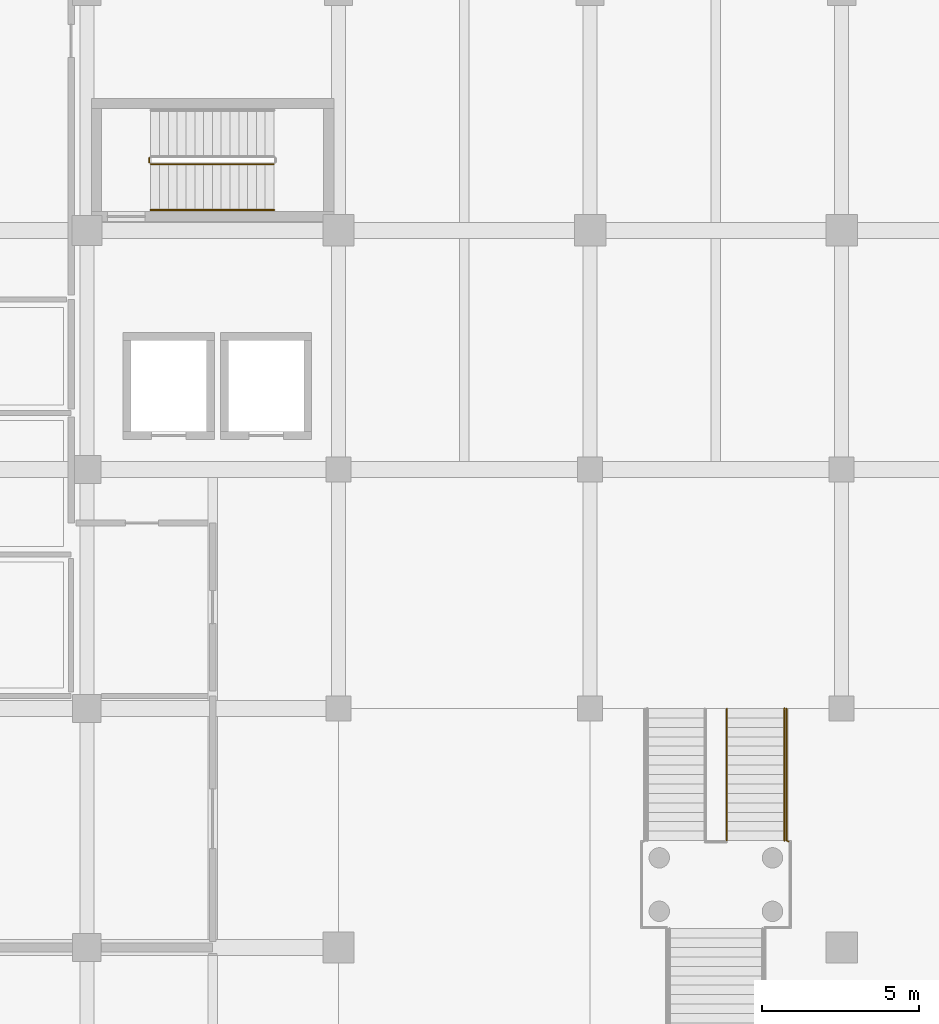
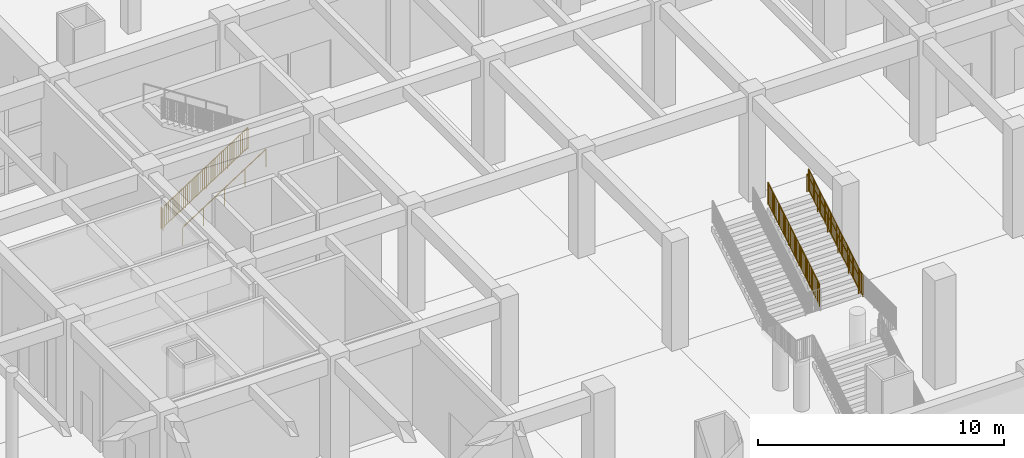
# One storey, part 90 of 95: 6 railings.
"""IFC4 building model written with IfcOpenShell, lengths in metres."""

from ifc_helpers import new_model, si_unit, direction, frame, origin, origin_2d, place, context, subcontext, project, spatial, rectangle, circle, extrude, material, type_object, element, save


model = new_model("IFC4")

# Units and contexts
model_context = context("Model", 3, precision=1e-05, world=origin(), true_north=direction((0.0, 1.0)))
body_context = subcontext(model_context, "Body", "Model", "MODEL_VIEW")
ifc_project = project(units=[si_unit("LENGTHUNIT", "METRE"), si_unit("AREAUNIT", "SQUARE_METRE"), si_unit("VOLUMEUNIT", "CUBIC_METRE"), si_unit("PLANEANGLEUNIT", "RADIAN"), si_unit("MASSUNIT", "GRAM", prefix="KILO")], contexts=[model_context])

# Site, building, storey
site_placement = place(None, origin())
site = spatial("IfcSite", under=ifc_project, at=site_placement, CompositionType="ELEMENT")
building_placement = place(site_placement, origin())
building = spatial("IfcBuilding", under=site, at=building_placement, Name="Zantavel Square City Hall", CompositionType="ELEMENT")
storey_placement = place(building_placement, origin())
storey = spatial("IfcBuildingStorey", under=building, at=storey_placement, Name="L01", CompositionType="ELEMENT", Elevation=0.0)

# Railings
ifc_material_1 = material(Name="Steel ASTM A500 Grade B", Category="steel")
railing_type_1 = type_object("IfcRailingType", Name="Atrium & Gallery Steel Guard Railing 1100mm", PredefinedType="GUARDRAIL", material=ifc_material_1)
railing_1_placement = place(storey_placement, frame((66.030029296875, 62.909912109375, 0.179931640625)))
element("IfcRailing", 1, at=railing_1_placement, inside=storey, type_object=railing_type_1, Name="L01 ST5 stair guard 1", PredefinedType="GUARDRAIL", context=body_context, shape_type="SweptSolid", body=[
    extrude(circle(Radius=0.02392578125, at=origin_2d()), frame((0.0, 0.0, 1.076171875), z_axis=(0.841171666519, 0.0, 0.540768182723), x_axis=(0.0, 1.0, 0.0)), (0.0, 0.0, 1.0), 4.66015625),
    extrude(rectangle(XDim=0.031982421875, YDim=0.031982421875, at=origin_2d()), frame((0.0, 0.0, 0.080078125), z_axis=(0.841171666519, 0.0, 0.540768182723), x_axis=(0.0, 1.0, 0.0)), (0.0, 0.0, 1.0), 4.66015625),
    extrude(rectangle(XDim=0.02197265625, YDim=0.02197265625, at=origin_2d()), frame((0.089111328125, 0.0, 0.13720703125)), (0.0, 0.0, 1.0), 0.971923828125),
    extrude(rectangle(XDim=0.02197265625, YDim=0.02197265625, at=origin_2d()), frame((0.17822265625, 0.0, 0.194580078125)), (0.0, 0.0, 1.0), 0.971923828125),
    extrude(rectangle(XDim=0.02197265625, YDim=0.02197265625, at=origin_2d()), frame((0.267333984375, 0.0, 0.251708984375)), (0.0, 0.0, 1.0), 0.971923828125),
    extrude(rectangle(XDim=0.02197265625, YDim=0.02197265625, at=origin_2d()), frame((0.3564453125, 0.0, 0.30908203125)), (0.0, 0.0, 1.0), 0.971923828125),
    extrude(rectangle(XDim=0.02197265625, YDim=0.02197265625, at=origin_2d()), frame((0.445556640625, 0.0, 0.366455078125)), (0.0, 0.0, 1.0), 0.971923828125),
    extrude(rectangle(XDim=0.02197265625, YDim=0.02197265625, at=origin_2d()), frame((0.534423828125, 0.0, 0.423583984375)), (0.0, 0.0, 1.0), 0.971923828125),
    extrude(rectangle(XDim=0.02197265625, YDim=0.02197265625, at=origin_2d()), frame((0.62353515625, 0.0, 0.48095703125)), (0.0, 0.0, 1.0), 0.971923828125),
    extrude(rectangle(XDim=0.02197265625, YDim=0.02197265625, at=origin_2d()), frame((0.712646484375, 0.0, 0.5380859375)), (0.0, 0.0, 1.0), 0.971923828125),
    extrude(rectangle(XDim=0.02197265625, YDim=0.02197265625, at=origin_2d()), frame((0.8017578125, 0.0, 0.595458984375)), (0.0, 0.0, 1.0), 0.971923828125),
    extrude(rectangle(XDim=0.02197265625, YDim=0.02197265625, at=origin_2d()), frame((0.890869140625, 0.0, 0.65283203125)), (0.0, 0.0, 1.0), 0.971923828125),
    extrude(rectangle(XDim=0.02197265625, YDim=0.02197265625, at=origin_2d()), frame((1.069091796875, 0.0, 0.767333984375)), (0.0, 0.0, 1.0), 0.971923828125),
    extrude(rectangle(XDim=0.02197265625, YDim=0.02197265625, at=origin_2d()), frame((1.158203125, 0.0, 0.824462890625)), (0.0, 0.0, 1.0), 0.971923828125),
    extrude(rectangle(XDim=0.02197265625, YDim=0.02197265625, at=origin_2d()), frame((1.247314453125, 0.0, 0.8818359375)), (0.0, 0.0, 1.0), 0.971923828125),
    extrude(rectangle(XDim=0.02197265625, YDim=0.02197265625, at=origin_2d()), frame((1.33642578125, 0.0, 0.939208984375)), (0.0, 0.0, 1.0), 0.971923828125),
    extrude(rectangle(XDim=0.02197265625, YDim=0.02197265625, at=origin_2d()), frame((1.425537109375, 0.0, 0.996337890625)), (0.0, 0.0, 1.0), 0.971923828125),
    extrude(rectangle(XDim=0.02197265625, YDim=0.02197265625, at=origin_2d()), frame((1.514404296875, 0.0, 1.0537109375)), (0.0, 0.0, 1.0), 0.971923828125),
    extrude(rectangle(XDim=0.02197265625, YDim=0.02197265625, at=origin_2d()), frame((1.603515625, 0.0, 1.11083984375)), (0.0, 0.0, 1.0), 0.971923828125),
    extrude(rectangle(XDim=0.02197265625, YDim=0.02197265625, at=origin_2d()), frame((1.692626953125, 0.0, 1.168212890625)), (0.0, 0.0, 1.0), 0.971923828125),
    extrude(rectangle(XDim=0.02197265625, YDim=0.02197265625, at=origin_2d()), frame((1.78173828125, 0.0, 1.225341796875)), (0.0, 0.0, 1.0), 0.971923828125),
    extrude(rectangle(XDim=0.02197265625, YDim=0.02197265625, at=origin_2d()), frame((1.870849609375, 0.0, 1.28271484375)), (0.0, 0.0, 1.0), 0.971923828125),
    extrude(rectangle(XDim=0.02197265625, YDim=0.02197265625, at=origin_2d()), frame((2.049072265625, 0.0, 1.397216796875)), (0.0, 0.0, 1.0), 0.971923828125),
    extrude(rectangle(XDim=0.02197265625, YDim=0.02197265625, at=origin_2d()), frame((2.13818359375, 0.0, 1.45458984375)), (0.0, 0.0, 1.0), 0.971923828125),
    extrude(rectangle(XDim=0.02197265625, YDim=0.02197265625, at=origin_2d()), frame((2.227294921875, 0.0, 1.51171875)), (0.0, 0.0, 1.0), 0.971923828125),
    extrude(rectangle(XDim=0.02197265625, YDim=0.02197265625, at=origin_2d()), frame((2.31640625, 0.0, 1.569091796875)), (0.0, 0.0, 1.0), 0.971923828125),
    extrude(rectangle(XDim=0.02197265625, YDim=0.02197265625, at=origin_2d()), frame((2.405517578125, 0.0, 1.62646484375)), (0.0, 0.0, 1.0), 0.971923828125),
    extrude(rectangle(XDim=0.02197265625, YDim=0.02197265625, at=origin_2d()), frame((2.494384765625, 0.0, 1.68359375)), (0.0, 0.0, 1.0), 0.971923828125),
    extrude(rectangle(XDim=0.02197265625, YDim=0.02197265625, at=origin_2d()), frame((2.58349609375, 0.0, 1.740966796875)), (0.0, 0.0, 1.0), 0.971923828125),
    extrude(rectangle(XDim=0.02197265625, YDim=0.02197265625, at=origin_2d()), frame((2.672607421875, 0.0, 1.798095703125)), (0.0, 0.0, 1.0), 0.971923828125),
    extrude(rectangle(XDim=0.02197265625, YDim=0.02197265625, at=origin_2d()), frame((2.76171875, 0.0, 1.85546875)), (0.0, 0.0, 1.0), 0.971923828125),
    extrude(rectangle(XDim=0.02197265625, YDim=0.02197265625, at=origin_2d()), frame((2.850830078125, 0.0, 1.912841796875)), (0.0, 0.0, 1.0), 0.971923828125),
    extrude(rectangle(XDim=0.02197265625, YDim=0.02197265625, at=origin_2d()), frame((3.029052734375, 0.0, 2.02734375)), (0.0, 0.0, 1.0), 0.971923828125),
    extrude(rectangle(XDim=0.02197265625, YDim=0.02197265625, at=origin_2d()), frame((3.1181640625, 0.0, 2.08447265625)), (0.0, 0.0, 1.0), 0.971923828125),
    extrude(rectangle(XDim=0.02197265625, YDim=0.02197265625, at=origin_2d()), frame((3.207275390625, 0.0, 2.141845703125)), (0.0, 0.0, 1.0), 0.971923828125),
    extrude(rectangle(XDim=0.02197265625, YDim=0.02197265625, at=origin_2d()), frame((3.29638671875, 0.0, 2.19921875)), (0.0, 0.0, 1.0), 0.971923828125),
    extrude(rectangle(XDim=0.02197265625, YDim=0.02197265625, at=origin_2d()), frame((3.385498046875, 0.0, 2.25634765625)), (0.0, 0.0, 1.0), 0.971923828125),
    extrude(rectangle(XDim=0.02197265625, YDim=0.02197265625, at=origin_2d()), frame((3.474365234375, 0.0, 2.313720703125)), (0.0, 0.0, 1.0), 0.971923828125),
    extrude(rectangle(XDim=0.02197265625, YDim=0.02197265625, at=origin_2d()), frame((3.5634765625, 0.0, 2.370849609375)), (0.0, 0.0, 1.0), 0.971923828125),
    extrude(rectangle(XDim=0.02197265625, YDim=0.02197265625, at=origin_2d()), frame((3.652587890625, 0.0, 2.42822265625)), (0.0, 0.0, 1.0), 0.971923828125),
    extrude(rectangle(XDim=0.02197265625, YDim=0.02197265625, at=origin_2d()), frame((3.74169921875, 0.0, 2.4853515625)), (0.0, 0.0, 1.0), 0.971923828125),
    extrude(rectangle(XDim=0.02197265625, YDim=0.02197265625, at=origin_2d()), frame((3.830810546875, 0.0, 2.542724609375)), (0.0, 0.0, 1.0), 0.971923828125),
    extrude(circle(Radius=0.02099609375, at=origin_2d()), origin(), (0.0, 0.0, 1.0), 1.052001953125),
    extrude(circle(Radius=0.02099609375, at=origin_2d()), frame((0.97998046875, 0.0, 0.6298828125)), (0.0, 0.0, 1.0), 1.052001953125),
    extrude(circle(Radius=0.02099609375, at=origin_2d()), frame((1.9599609375, 0.0, 1.260009765625)), (0.0, 0.0, 1.0), 1.052001953125),
    extrude(circle(Radius=0.02099609375, at=origin_2d()), frame((2.93994140625, 0.0, 1.89013671875)), (0.0, 0.0, 1.0), 1.052001953125),
    extrude(circle(Radius=0.02099609375, at=origin_2d()), frame((3.919921875, 0.0, 2.52001953125)), (0.0, 0.0, 1.0), 1.052001953125),
])
railing_2_placement = place(storey_placement, frame((65.97998046875, 62.9599609375, 0.0)))
element("IfcRailing", 2, at=railing_2_placement, inside=storey, type_object=railing_type_1, Name="L01 ST5 stair guard 4", PredefinedType="GUARDRAIL", context=body_context, shape_type="SweptSolid", body=[
    extrude(circle(Radius=0.02392578125, at=origin_2d()), frame((0.0, 0.0, 1.076171875), z_axis=(0.0, 1.0, 0.0), x_axis=(-1.0, 0.0, 0.0)), (0.0, 0.0, 1.0), 0.150146484375),
    extrude(rectangle(XDim=0.031982421875, YDim=0.031982421875, at=origin_2d()), frame((0.0, 0.0, 0.080078125), z_axis=(0.0, 1.0, 0.0), x_axis=(-1.0, 0.0, 0.0)), (0.0, 0.0, 1.0), 0.150146484375),
    extrude(rectangle(XDim=0.02197265625, YDim=0.02197265625, at=origin_2d()), frame((0.0, 0.0751953125, 0.080078125)), (0.0, 0.0, 1.0), 0.971923828125),
    extrude(circle(Radius=0.02099609375, at=origin_2d()), origin(), (0.0, 0.0, 1.0), 1.052001953125),
    extrude(circle(Radius=0.02099609375, at=origin_2d()), frame((0.0, 0.150146484375, 0.0)), (0.0, 0.0, 1.0), 1.052001953125),
])
railing_type_2 = type_object("IfcRailingType", Name="Classical Stone & Steel Terrace Balustrade 1100mm", PredefinedType="BALUSTRADE", material=ifc_material_1)
railing_3_placement = place(storey_placement, frame((86.35009765625, 41.35009765625, 2.699951171875)))
element("IfcRailing", 3, at=railing_3_placement, inside=storey, type_object=railing_type_2, Name="Imperial Stair Balustered Guard 06", PredefinedType="BALUSTRADE", context=body_context, shape_type="SweptSolid", body=[
    extrude(circle(Radius=0.02392578125, at=origin_2d()), frame((0.0, 0.0, 1.09619140625), z_axis=(-0.472519280949, 0.235107154423, 0.849382219657), x_axis=(-0.445465817735, -0.895298947408, 0.0)), (0.0, 0.0, 1.0), 0.2119140625),
    extrude(rectangle(XDim=0.031982421875, YDim=0.031982421875, at=origin_2d()), frame((0.0, 0.0, 0.080078125), z_axis=(-0.472519280949, 0.235107154423, 0.849382219657), x_axis=(-0.445465817735, -0.895298947408, 0.0)), (0.0, 0.0, 1.0), 0.2119140625),
    extrude(rectangle(XDim=0.02197265625, YDim=0.02197265625, at=origin_2d()), frame((-0.050048828125, 0.02490234375, 0.169921875)), (0.0, 0.0, 1.0), 0.991943359375),
    extrude(circle(Radius=0.02392578125, at=origin_2d()), frame((-0.10009765625, 0.0498046875, 1.27587890625), z_axis=(0.0, 0.857501721439, 0.514481095599), x_axis=(-1.0, 0.0, 0.0)), (0.0, 0.0, 1.0), 4.898193359375),
    extrude(rectangle(XDim=0.031982421875, YDim=0.031982421875, at=origin_2d()), frame((-0.10009765625, 0.0498046875, 0.260009765625), z_axis=(0.0, 0.857501721439, 0.514481095599), x_axis=(-1.0, 0.0, 0.0)), (0.0, 0.0, 1.0), 4.898193359375),
    extrude(rectangle(XDim=0.02197265625, YDim=0.02197265625, at=origin_2d()), frame((-0.10009765625, 0.13916015625, 0.3134765625)), (0.0, 0.0, 1.0), 0.991943359375),
    extrude(rectangle(XDim=0.02197265625, YDim=0.02197265625, at=origin_2d()), frame((-0.10009765625, 0.228515625, 0.3671875)), (0.0, 0.0, 1.0), 0.991943359375),
    extrude(rectangle(XDim=0.02197265625, YDim=0.02197265625, at=origin_2d()), frame((-0.10009765625, 0.31787109375, 0.4208984375)), (0.0, 0.0, 1.0), 0.991943359375),
    extrude(rectangle(XDim=0.02197265625, YDim=0.02197265625, at=origin_2d()), frame((-0.10009765625, 0.4072265625, 0.474365234375)), (0.0, 0.0, 1.0), 0.991943359375),
    extrude(rectangle(XDim=0.02197265625, YDim=0.02197265625, at=origin_2d()), frame((-0.10009765625, 0.49658203125, 0.528076171875)), (0.0, 0.0, 1.0), 0.991943359375),
    extrude(rectangle(XDim=0.02197265625, YDim=0.02197265625, at=origin_2d()), frame((-0.10009765625, 0.5859375, 0.58154296875)), (0.0, 0.0, 1.0), 0.991943359375),
    extrude(rectangle(XDim=0.02197265625, YDim=0.02197265625, at=origin_2d()), frame((-0.10009765625, 0.67529296875, 0.63525390625)), (0.0, 0.0, 1.0), 0.991943359375),
    extrude(rectangle(XDim=0.02197265625, YDim=0.02197265625, at=origin_2d()), frame((-0.10009765625, 0.7646484375, 0.68896484375)), (0.0, 0.0, 1.0), 0.991943359375),
    extrude(rectangle(XDim=0.02197265625, YDim=0.02197265625, at=origin_2d()), frame((-0.10009765625, 0.943359375, 0.796142578125)), (0.0, 0.0, 1.0), 0.991943359375),
    extrude(rectangle(XDim=0.02197265625, YDim=0.02197265625, at=origin_2d()), frame((-0.10009765625, 1.03271484375, 0.849609375)), (0.0, 0.0, 1.0), 0.991943359375),
    extrude(rectangle(XDim=0.02197265625, YDim=0.02197265625, at=origin_2d()), frame((-0.10009765625, 1.122314453125, 0.9033203125)), (0.0, 0.0, 1.0), 0.991943359375),
    extrude(rectangle(XDim=0.02197265625, YDim=0.02197265625, at=origin_2d()), frame((-0.10009765625, 1.211669921875, 0.95703125)), (0.0, 0.0, 1.0), 0.991943359375),
    extrude(rectangle(XDim=0.02197265625, YDim=0.02197265625, at=origin_2d()), frame((-0.10009765625, 1.301025390625, 1.010498046875)), (0.0, 0.0, 1.0), 0.991943359375),
    extrude(rectangle(XDim=0.02197265625, YDim=0.02197265625, at=origin_2d()), frame((-0.10009765625, 1.390380859375, 1.064208984375)), (0.0, 0.0, 1.0), 0.991943359375),
    extrude(rectangle(XDim=0.02197265625, YDim=0.02197265625, at=origin_2d()), frame((-0.10009765625, 1.479736328125, 1.117919921875)), (0.0, 0.0, 1.0), 0.991943359375),
    extrude(rectangle(XDim=0.02197265625, YDim=0.02197265625, at=origin_2d()), frame((-0.10009765625, 1.569091796875, 1.17138671875)), (0.0, 0.0, 1.0), 0.991943359375),
    extrude(rectangle(XDim=0.02197265625, YDim=0.02197265625, at=origin_2d()), frame((-0.10009765625, 1.658447265625, 1.22509765625)), (0.0, 0.0, 1.0), 0.991943359375),
    extrude(rectangle(XDim=0.02197265625, YDim=0.02197265625, at=origin_2d()), frame((-0.10009765625, 1.837158203125, 1.332275390625)), (0.0, 0.0, 1.0), 0.991943359375),
    extrude(rectangle(XDim=0.02197265625, YDim=0.02197265625, at=origin_2d()), frame((-0.10009765625, 1.926513671875, 1.385986328125)), (0.0, 0.0, 1.0), 0.991943359375),
    extrude(rectangle(XDim=0.02197265625, YDim=0.02197265625, at=origin_2d()), frame((-0.10009765625, 2.015869140625, 1.439453125)), (0.0, 0.0, 1.0), 0.991943359375),
    extrude(rectangle(XDim=0.02197265625, YDim=0.02197265625, at=origin_2d()), frame((-0.10009765625, 2.105224609375, 1.4931640625)), (0.0, 0.0, 1.0), 0.991943359375),
    extrude(rectangle(XDim=0.02197265625, YDim=0.02197265625, at=origin_2d()), frame((-0.10009765625, 2.194580078125, 1.546630859375)), (0.0, 0.0, 1.0), 0.991943359375),
    extrude(rectangle(XDim=0.02197265625, YDim=0.02197265625, at=origin_2d()), frame((-0.10009765625, 2.283935546875, 1.600341796875)), (0.0, 0.0, 1.0), 0.991943359375),
    extrude(rectangle(XDim=0.02197265625, YDim=0.02197265625, at=origin_2d()), frame((-0.10009765625, 2.373291015625, 1.654052734375)), (0.0, 0.0, 1.0), 0.991943359375),
    extrude(rectangle(XDim=0.02197265625, YDim=0.02197265625, at=origin_2d()), frame((-0.10009765625, 2.462646484375, 1.70751953125)), (0.0, 0.0, 1.0), 0.991943359375),
    extrude(rectangle(XDim=0.02197265625, YDim=0.02197265625, at=origin_2d()), frame((-0.10009765625, 2.641357421875, 1.81494140625)), (0.0, 0.0, 1.0), 0.991943359375),
    extrude(rectangle(XDim=0.02197265625, YDim=0.02197265625, at=origin_2d()), frame((-0.10009765625, 2.730712890625, 1.868408203125)), (0.0, 0.0, 1.0), 0.991943359375),
    extrude(rectangle(XDim=0.02197265625, YDim=0.02197265625, at=origin_2d()), frame((-0.10009765625, 2.820068359375, 1.922119140625)), (0.0, 0.0, 1.0), 0.991943359375),
    extrude(rectangle(XDim=0.02197265625, YDim=0.02197265625, at=origin_2d()), frame((-0.10009765625, 2.909423828125, 1.9755859375)), (0.0, 0.0, 1.0), 0.991943359375),
    extrude(rectangle(XDim=0.02197265625, YDim=0.02197265625, at=origin_2d()), frame((-0.10009765625, 2.998779296875, 2.029296875)), (0.0, 0.0, 1.0), 0.991943359375),
    extrude(rectangle(XDim=0.02197265625, YDim=0.02197265625, at=origin_2d()), frame((-0.10009765625, 3.088134765625, 2.0830078125)), (0.0, 0.0, 1.0), 0.991943359375),
    extrude(rectangle(XDim=0.02197265625, YDim=0.02197265625, at=origin_2d()), frame((-0.10009765625, 3.177490234375, 2.136474609375)), (0.0, 0.0, 1.0), 0.991943359375),
    extrude(rectangle(XDim=0.02197265625, YDim=0.02197265625, at=origin_2d()), frame((-0.10009765625, 3.26708984375, 2.190185546875)), (0.0, 0.0, 1.0), 0.991943359375),
    extrude(rectangle(XDim=0.02197265625, YDim=0.02197265625, at=origin_2d()), frame((-0.10009765625, 3.3564453125, 2.243896484375)), (0.0, 0.0, 1.0), 0.991943359375),
    extrude(rectangle(XDim=0.02197265625, YDim=0.02197265625, at=origin_2d()), frame((-0.10009765625, 3.53515625, 2.35107421875)), (0.0, 0.0, 1.0), 0.991943359375),
    extrude(rectangle(XDim=0.02197265625, YDim=0.02197265625, at=origin_2d()), frame((-0.10009765625, 3.62451171875, 2.404541015625)), (0.0, 0.0, 1.0), 0.991943359375),
    extrude(rectangle(XDim=0.02197265625, YDim=0.02197265625, at=origin_2d()), frame((-0.10009765625, 3.7138671875, 2.458251953125)), (0.0, 0.0, 1.0), 0.991943359375),
    extrude(rectangle(XDim=0.02197265625, YDim=0.02197265625, at=origin_2d()), frame((-0.10009765625, 3.80322265625, 2.511962890625)), (0.0, 0.0, 1.0), 0.991943359375),
    extrude(rectangle(XDim=0.02197265625, YDim=0.02197265625, at=origin_2d()), frame((-0.10009765625, 3.892578125, 2.5654296875)), (0.0, 0.0, 1.0), 0.991943359375),
    extrude(rectangle(XDim=0.02197265625, YDim=0.02197265625, at=origin_2d()), frame((-0.10009765625, 3.98193359375, 2.619140625)), (0.0, 0.0, 1.0), 0.991943359375),
    extrude(rectangle(XDim=0.02197265625, YDim=0.02197265625, at=origin_2d()), frame((-0.10009765625, 4.0712890625, 2.672607421875)), (0.0, 0.0, 1.0), 0.991943359375),
    extrude(rectangle(XDim=0.02197265625, YDim=0.02197265625, at=origin_2d()), frame((-0.10009765625, 4.16064453125, 2.726318359375)), (0.0, 0.0, 1.0), 0.991943359375),
    extrude(circle(Radius=0.02099609375, at=origin_2d()), origin(), (0.0, 0.0, 1.0), 1.072021484375),
    extrude(circle(Radius=0.02099609375, at=origin_2d()), frame((-0.10009765625, 0.0498046875, 0.179931640625)), (0.0, 0.0, 1.0), 1.072021484375),
    extrude(circle(Radius=0.02099609375, at=origin_2d()), frame((-0.10009765625, 0.889892578125, 0.683837890625)), (0.0, 0.0, 1.0), 1.072021484375),
    extrude(circle(Radius=0.02099609375, at=origin_2d()), frame((-0.10009765625, 1.72998046875, 1.18798828125)), (0.0, 0.0, 1.0), 1.072021484375),
    extrude(circle(Radius=0.02099609375, at=origin_2d()), frame((-0.10009765625, 2.56982421875, 1.69189453125)), (0.0, 0.0, 1.0), 1.072021484375),
    extrude(circle(Radius=0.02099609375, at=origin_2d()), frame((-0.10009765625, 3.409912109375, 2.196044921875)), (0.0, 0.0, 1.0), 1.072021484375),
    extrude(circle(Radius=0.02099609375, at=origin_2d()), frame((-0.10009765625, 4.25, 2.699951171875)), (0.0, 0.0, 1.0), 1.072021484375),
])
railing_4_placement = place(storey_placement, frame((84.35009765625, 41.39990234375, 2.8798828125)))
element("IfcRailing", 4, at=railing_4_placement, inside=storey, type_object=railing_type_2, Name="Imperial Stair Balustered Guard 09", PredefinedType="BALUSTRADE", context=body_context, shape_type="SweptSolid", body=[
    extrude(circle(Radius=0.02392578125, at=origin_2d()), frame((0.0, 0.0, 1.09619140625), z_axis=(0.0, 0.857501721439, 0.514481095599), x_axis=(-1.0, 0.0, 0.0)), (0.0, 0.0, 1.0), 4.898193359375),
    extrude(rectangle(XDim=0.031982421875, YDim=0.031982421875, at=origin_2d()), frame((0.0, 0.0, 0.080078125), z_axis=(0.0, 0.857501721439, 0.514481095599), x_axis=(-1.0, 0.0, 0.0)), (0.0, 0.0, 1.0), 4.898193359375),
    extrude(rectangle(XDim=0.02197265625, YDim=0.02197265625, at=origin_2d()), frame((0.0, 0.08935546875, 0.133544921875)), (0.0, 0.0, 1.0), 0.991943359375),
    extrude(rectangle(XDim=0.02197265625, YDim=0.02197265625, at=origin_2d()), frame((0.0, 0.1787109375, 0.187255859375)), (0.0, 0.0, 1.0), 0.991943359375),
    extrude(rectangle(XDim=0.02197265625, YDim=0.02197265625, at=origin_2d()), frame((0.0, 0.26806640625, 0.240966796875)), (0.0, 0.0, 1.0), 0.991943359375),
    extrude(rectangle(XDim=0.02197265625, YDim=0.02197265625, at=origin_2d()), frame((0.0, 0.357421875, 0.29443359375)), (0.0, 0.0, 1.0), 0.991943359375),
    extrude(rectangle(XDim=0.02197265625, YDim=0.02197265625, at=origin_2d()), frame((0.0, 0.44677734375, 0.34814453125)), (0.0, 0.0, 1.0), 0.991943359375),
    extrude(rectangle(XDim=0.02197265625, YDim=0.02197265625, at=origin_2d()), frame((0.0, 0.5361328125, 0.401611328125)), (0.0, 0.0, 1.0), 0.991943359375),
    extrude(rectangle(XDim=0.02197265625, YDim=0.02197265625, at=origin_2d()), frame((0.0, 0.62548828125, 0.455322265625)), (0.0, 0.0, 1.0), 0.991943359375),
    extrude(rectangle(XDim=0.02197265625, YDim=0.02197265625, at=origin_2d()), frame((0.0, 0.71484375, 0.509033203125)), (0.0, 0.0, 1.0), 0.991943359375),
    extrude(rectangle(XDim=0.02197265625, YDim=0.02197265625, at=origin_2d()), frame((0.0, 0.8935546875, 0.6162109375)), (0.0, 0.0, 1.0), 0.991943359375),
    extrude(rectangle(XDim=0.02197265625, YDim=0.02197265625, at=origin_2d()), frame((0.0, 0.98291015625, 0.669677734375)), (0.0, 0.0, 1.0), 0.991943359375),
    extrude(rectangle(XDim=0.02197265625, YDim=0.02197265625, at=origin_2d()), frame((0.0, 1.072509765625, 0.723388671875)), (0.0, 0.0, 1.0), 0.991943359375),
    extrude(rectangle(XDim=0.02197265625, YDim=0.02197265625, at=origin_2d()), frame((0.0, 1.161865234375, 0.777099609375)), (0.0, 0.0, 1.0), 0.991943359375),
    extrude(rectangle(XDim=0.02197265625, YDim=0.02197265625, at=origin_2d()), frame((0.0, 1.251220703125, 0.83056640625)), (0.0, 0.0, 1.0), 0.991943359375),
    extrude(rectangle(XDim=0.02197265625, YDim=0.02197265625, at=origin_2d()), frame((0.0, 1.340576171875, 0.88427734375)), (0.0, 0.0, 1.0), 0.991943359375),
    extrude(rectangle(XDim=0.02197265625, YDim=0.02197265625, at=origin_2d()), frame((0.0, 1.429931640625, 0.93798828125)), (0.0, 0.0, 1.0), 0.991943359375),
    extrude(rectangle(XDim=0.02197265625, YDim=0.02197265625, at=origin_2d()), frame((0.0, 1.519287109375, 0.991455078125)), (0.0, 0.0, 1.0), 0.991943359375),
    extrude(rectangle(XDim=0.02197265625, YDim=0.02197265625, at=origin_2d()), frame((0.0, 1.608642578125, 1.045166015625)), (0.0, 0.0, 1.0), 0.991943359375),
    extrude(rectangle(XDim=0.02197265625, YDim=0.02197265625, at=origin_2d()), frame((0.0, 1.787353515625, 1.15234375)), (0.0, 0.0, 1.0), 0.991943359375),
    extrude(rectangle(XDim=0.02197265625, YDim=0.02197265625, at=origin_2d()), frame((0.0, 1.876708984375, 1.2060546875)), (0.0, 0.0, 1.0), 0.991943359375),
    extrude(rectangle(XDim=0.02197265625, YDim=0.02197265625, at=origin_2d()), frame((0.0, 1.966064453125, 1.259521484375)), (0.0, 0.0, 1.0), 0.991943359375),
    extrude(rectangle(XDim=0.02197265625, YDim=0.02197265625, at=origin_2d()), frame((0.0, 2.055419921875, 1.313232421875)), (0.0, 0.0, 1.0), 0.991943359375),
    extrude(rectangle(XDim=0.02197265625, YDim=0.02197265625, at=origin_2d()), frame((0.0, 2.144775390625, 1.36669921875)), (0.0, 0.0, 1.0), 0.991943359375),
    extrude(rectangle(XDim=0.02197265625, YDim=0.02197265625, at=origin_2d()), frame((0.0, 2.234130859375, 1.42041015625)), (0.0, 0.0, 1.0), 0.991943359375),
    extrude(rectangle(XDim=0.02197265625, YDim=0.02197265625, at=origin_2d()), frame((0.0, 2.323486328125, 1.47412109375)), (0.0, 0.0, 1.0), 0.991943359375),
    extrude(rectangle(XDim=0.02197265625, YDim=0.02197265625, at=origin_2d()), frame((0.0, 2.412841796875, 1.527587890625)), (0.0, 0.0, 1.0), 0.991943359375),
    extrude(rectangle(XDim=0.02197265625, YDim=0.02197265625, at=origin_2d()), frame((0.0, 2.591552734375, 1.635009765625)), (0.0, 0.0, 1.0), 0.991943359375),
    extrude(rectangle(XDim=0.02197265625, YDim=0.02197265625, at=origin_2d()), frame((0.0, 2.680908203125, 1.6884765625)), (0.0, 0.0, 1.0), 0.991943359375),
    extrude(rectangle(XDim=0.02197265625, YDim=0.02197265625, at=origin_2d()), frame((0.0, 2.770263671875, 1.7421875)), (0.0, 0.0, 1.0), 0.991943359375),
    extrude(rectangle(XDim=0.02197265625, YDim=0.02197265625, at=origin_2d()), frame((0.0, 2.859619140625, 1.795654296875)), (0.0, 0.0, 1.0), 0.991943359375),
    extrude(rectangle(XDim=0.02197265625, YDim=0.02197265625, at=origin_2d()), frame((0.0, 2.948974609375, 1.849365234375)), (0.0, 0.0, 1.0), 0.991943359375),
    extrude(rectangle(XDim=0.02197265625, YDim=0.02197265625, at=origin_2d()), frame((0.0, 3.038330078125, 1.903076171875)), (0.0, 0.0, 1.0), 0.991943359375),
    extrude(rectangle(XDim=0.02197265625, YDim=0.02197265625, at=origin_2d()), frame((0.0, 3.127685546875, 1.95654296875)), (0.0, 0.0, 1.0), 0.991943359375),
    extrude(rectangle(XDim=0.02197265625, YDim=0.02197265625, at=origin_2d()), frame((0.0, 3.21728515625, 2.01025390625)), (0.0, 0.0, 1.0), 0.991943359375),
    extrude(rectangle(XDim=0.02197265625, YDim=0.02197265625, at=origin_2d()), frame((0.0, 3.306640625, 2.06396484375)), (0.0, 0.0, 1.0), 0.991943359375),
    extrude(rectangle(XDim=0.02197265625, YDim=0.02197265625, at=origin_2d()), frame((0.0, 3.4853515625, 2.171142578125)), (0.0, 0.0, 1.0), 0.991943359375),
    extrude(rectangle(XDim=0.02197265625, YDim=0.02197265625, at=origin_2d()), frame((0.0, 3.57470703125, 2.224609375)), (0.0, 0.0, 1.0), 0.991943359375),
    extrude(rectangle(XDim=0.02197265625, YDim=0.02197265625, at=origin_2d()), frame((0.0, 3.6640625, 2.2783203125)), (0.0, 0.0, 1.0), 0.991943359375),
    extrude(rectangle(XDim=0.02197265625, YDim=0.02197265625, at=origin_2d()), frame((0.0, 3.75341796875, 2.33203125)), (0.0, 0.0, 1.0), 0.991943359375),
    extrude(rectangle(XDim=0.02197265625, YDim=0.02197265625, at=origin_2d()), frame((0.0, 3.8427734375, 2.385498046875)), (0.0, 0.0, 1.0), 0.991943359375),
    extrude(rectangle(XDim=0.02197265625, YDim=0.02197265625, at=origin_2d()), frame((0.0, 3.93212890625, 2.439208984375)), (0.0, 0.0, 1.0), 0.991943359375),
    extrude(rectangle(XDim=0.02197265625, YDim=0.02197265625, at=origin_2d()), frame((0.0, 4.021484375, 2.49267578125)), (0.0, 0.0, 1.0), 0.991943359375),
    extrude(rectangle(XDim=0.02197265625, YDim=0.02197265625, at=origin_2d()), frame((0.0, 4.11083984375, 2.54638671875)), (0.0, 0.0, 1.0), 0.991943359375),
    extrude(circle(Radius=0.02099609375, at=origin_2d()), origin(), (0.0, 0.0, 1.0), 1.072021484375),
    extrude(circle(Radius=0.02099609375, at=origin_2d()), frame((0.0, 0.840087890625, 0.50390625)), (0.0, 0.0, 1.0), 1.072021484375),
    extrude(circle(Radius=0.02099609375, at=origin_2d()), frame((0.0, 1.68017578125, 1.008056640625)), (0.0, 0.0, 1.0), 1.072021484375),
    extrude(circle(Radius=0.02099609375, at=origin_2d()), frame((0.0, 2.52001953125, 1.511962890625)), (0.0, 0.0, 1.0), 1.072021484375),
    extrude(circle(Radius=0.02099609375, at=origin_2d()), frame((0.0, 3.360107421875, 2.01611328125)), (0.0, 0.0, 1.0), 1.072021484375),
    extrude(circle(Radius=0.02099609375, at=origin_2d()), frame((0.0, 4.2001953125, 2.52001953125)), (0.0, 0.0, 1.0), 1.072021484375),
])
ifc_material_2 = material(Name="Stainless steel 316", Category="steel")
railing_type_3 = type_object("IfcRailingType", Name="Stair Stainless Steel Handrail 900mm", PredefinedType="HANDRAIL", material=ifc_material_2)
railing_5_placement = place(storey_placement, frame((66.030029296875, 61.449951171875, 0.179931640625)))
element("IfcRailing", 5, at=railing_5_placement, inside=storey, type_object=railing_type_3, Name="L01 ST5 stair handrail 1", PredefinedType="HANDRAIL", context=body_context, shape_type="SweptSolid", body=[
    extrude(circle(Radius=0.02392578125, at=origin_2d()), frame((0.0, 0.0, 0.8759765625), z_axis=(0.841171666519, 0.0, 0.540768182723), x_axis=(0.0, 1.0, 0.0)), (0.0, 0.0, 1.0), 4.66015625),
    extrude(circle(Radius=0.02099609375, at=origin_2d()), origin(), (0.0, 0.0, 1.0), 0.851806640625),
    extrude(circle(Radius=0.02099609375, at=origin_2d()), frame((0.97998046875, 0.0, 0.6298828125)), (0.0, 0.0, 1.0), 0.851806640625),
    extrude(circle(Radius=0.02099609375, at=origin_2d()), frame((1.9599609375, 0.0, 1.260009765625)), (0.0, 0.0, 1.0), 0.851806640625),
    extrude(circle(Radius=0.02099609375, at=origin_2d()), frame((2.93994140625, 0.0, 1.89013671875)), (0.0, 0.0, 1.0), 0.851806640625),
    extrude(circle(Radius=0.02099609375, at=origin_2d()), frame((3.919921875, 0.0, 2.52001953125)), (0.0, 0.0, 1.0), 0.851806640625),
])
railing_6_placement = place(storey_placement, frame((86.179931640625, 41.39990234375, 2.8798828125)))
element("IfcRailing", 6, at=railing_6_placement, inside=storey, type_object=railing_type_3, Name="Imperial Stair Handrail 04", PredefinedType="HANDRAIL", context=body_context, shape_type="SweptSolid", body=[
    extrude(circle(Radius=0.02392578125, at=origin_2d()), frame((0.0, 0.0, 0.8759765625), z_axis=(0.0, 0.857501721439, 0.514481095599), x_axis=(-1.0, 0.0, 0.0)), (0.0, 0.0, 1.0), 4.898193359375),
    extrude(circle(Radius=0.02099609375, at=origin_2d()), origin(), (0.0, 0.0, 1.0), 0.851806640625),
    extrude(circle(Radius=0.02099609375, at=origin_2d()), frame((0.0, 0.840087890625, 0.50390625)), (0.0, 0.0, 1.0), 0.851806640625),
    extrude(circle(Radius=0.02099609375, at=origin_2d()), frame((0.0, 1.68017578125, 1.008056640625)), (0.0, 0.0, 1.0), 0.851806640625),
    extrude(circle(Radius=0.02099609375, at=origin_2d()), frame((0.0, 2.52001953125, 1.511962890625)), (0.0, 0.0, 1.0), 0.851806640625),
    extrude(circle(Radius=0.02099609375, at=origin_2d()), frame((0.0, 3.360107421875, 2.01611328125)), (0.0, 0.0, 1.0), 0.851806640625),
    extrude(circle(Radius=0.02099609375, at=origin_2d()), frame((0.0, 4.2001953125, 2.52001953125)), (0.0, 0.0, 1.0), 0.851806640625),
])

save(model, "model.ifc")
